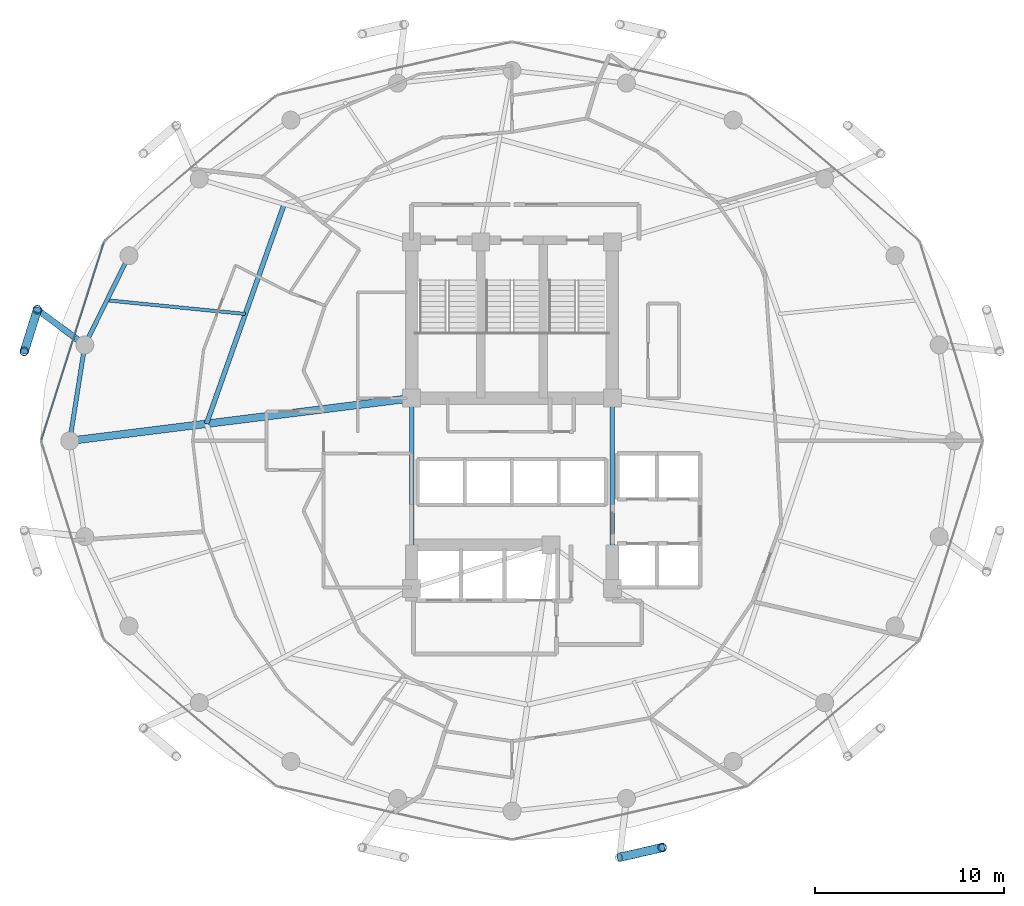
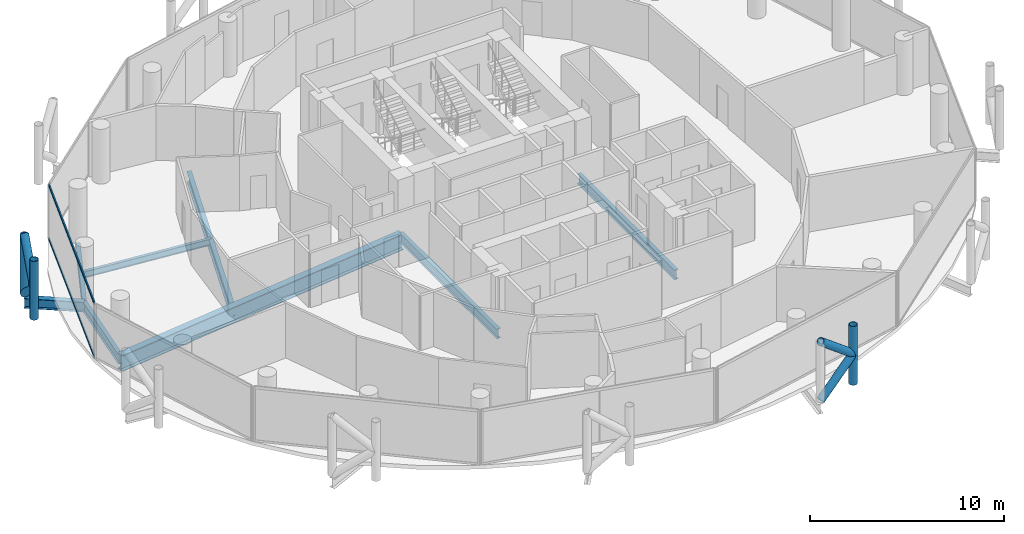
# One storey, part 7 of 26: 9 members, 8 beams, 1 element without a shape of its own.
"""IFC4 building model written with IfcOpenShell, lengths in metres."""

import ifcopenshell
import ifcopenshell.guid

model = None  # the IFC model being written
_history = None  # IfcOwnerHistory: only IFC2X3 demands one
_inside = {}  # id of a spatial element -> (the spatial element, [elements in it])
_under = {}  # id of a project, library or spatial element -> (it, [spatial elements below it])
_declared = {}  # id of a project -> (the project, [libraries it declares])
_typed = {}  # id of a type object -> (the type object, [elements of that type])
_made_of = {}  # id of a material, layer set ... -> (it, [elements and type objects made of it])


def new_model(schema):
    """Start an empty IFC model of exactly this schema.

    Asked for "IFC4X3", IfcOpenShell would pick the latest addendum, in which some entities
    have other attributes; the version numbers below select the first issue.
    IFC2X3 requires an IfcOwnerHistory on every rooted entity: one is made here for all.
    """
    global model, _history
    if schema == "IFC4X3":
        model = ifcopenshell.file(schema_version=(4, 3, 0, 0))
    else:
        model = ifcopenshell.file(schema=schema)
    _inside.clear()
    _under.clear()
    _declared.clear()
    _typed.clear()
    _made_of.clear()
    _history = None
    if model.schema == "IFC2X3":
        org = make("IfcOrganization", Name="unknown")
        user = make(
            "IfcPersonAndOrganization",
            ThePerson=make("IfcPerson", FamilyName="unknown"),
            TheOrganization=org,
        )
        app = make(
            "IfcApplication",
            ApplicationDeveloper=org,
            Version="unknown",
            ApplicationFullName="unknown",
            ApplicationIdentifier="unknown",
        )
        _history = make(
            "IfcOwnerHistory",
            OwningUser=user,
            OwningApplication=app,
            ChangeAction="ADDED",
            CreationDate=0,
        )
    return model


def make(cls, **values):
    """One entity of the class cls with the attributes given. An attribute that is None is left unset."""
    return model.create_entity(
        cls, **{name: value for name, value in values.items() if value is not None}
    )


def rooted(cls, **values):
    """An entity with a GlobalId (a new one), such as an element, a storey or a relation."""
    return make(cls, GlobalId=ifcopenshell.guid.new(), OwnerHistory=_history, **values)


def si_unit(unit_type, name, prefix=None):
    """IfcSIUnit, for example si_unit("LENGTHUNIT", "METRE", prefix="MILLI")."""
    return make("IfcSIUnit", UnitType=unit_type, Prefix=prefix, Name=name)


def assignment(units):
    """IfcUnitAssignment: the units of a project."""
    return None if units is None else make("IfcUnitAssignment", Units=units)


def point(xyz):
    """IfcCartesianPoint."""
    return None if xyz is None else make("IfcCartesianPoint", Coordinates=xyz)


def direction(xyz):
    """IfcDirection."""
    return None if xyz is None else make("IfcDirection", DirectionRatios=xyz)


def frame(location, z_axis=None, x_axis=None):
    """IfcAxis2Placement3D, a coordinate frame: its origin and axes. An axis left out is left unset."""
    return make(
        "IfcAxis2Placement3D",
        Location=point(location),
        Axis=direction(z_axis),
        RefDirection=direction(x_axis),
    )


def frame_2d(location, x_axis=None):
    """IfcAxis2Placement2D, a coordinate frame in the plane: its origin and x axis."""
    return make(
        "IfcAxis2Placement2D", Location=point(location), RefDirection=direction(x_axis)
    )


def origin():
    """The frame at (0, 0, 0) with its axes left unset."""
    return frame((0.0, 0.0, 0.0))


def origin_2d():
    """The frame at (0, 0) in the plane with its x axis left unset."""
    return frame_2d((0.0, 0.0))


def place(relative_to, where):
    """IfcLocalPlacement: puts the frame where relative to a parent placement (None: the world)."""
    return make(
        "IfcLocalPlacement", PlacementRelTo=relative_to, RelativePlacement=where
    )


def context(
    kind, dimensions, precision=None, world=None, true_north=None, identifier=None
):
    """IfcGeometricRepresentationContext, for example the 3D "Model" context."""
    return make(
        "IfcGeometricRepresentationContext",
        ContextIdentifier=identifier,
        ContextType=kind,
        CoordinateSpaceDimension=dimensions,
        Precision=precision,
        WorldCoordinateSystem=world,
        TrueNorth=true_north,
    )


def subcontext(parent, identifier, kind, view, scale=None):
    """IfcGeometricRepresentationSubContext, for example "Body" below "Model"."""
    return make(
        "IfcGeometricRepresentationSubContext",
        ContextIdentifier=identifier,
        ContextType=kind,
        ParentContext=parent,
        TargetScale=scale,
        TargetView=view,
    )


def project(units=None, contexts=None):
    """IfcProject with its units and contexts."""
    return rooted(
        "IfcProject",
        Name="project",
        RepresentationContexts=contexts,
        UnitsInContext=assignment(units),
    )


def spatial(cls, under=None, at=None, **own):
    """A site, building, storey or space (cls), placed at a placement, below another one or the project."""
    s = rooted(cls, ObjectPlacement=at, **own)
    if under is not None:
        _under.setdefault(under.id(), (under, []))[1].append(s)
    return s


def profile(cls, at=None, kind="AREA", **sizes):
    """A parametric profile (cls). Its sizes go by their IFC names, for example OverallWidth=200.0."""
    return make(cls, ProfileType=kind, Position=at, **sizes)


def hollow_rectangle(**sizes):
    """IfcRectangleHollowProfileDef."""
    return profile("IfcRectangleHollowProfileDef", **sizes)


def hollow_circle(**sizes):
    """IfcCircleHollowProfileDef."""
    return profile("IfcCircleHollowProfileDef", **sizes)


def i_section(**sizes):
    """IfcIShapeProfileDef."""
    return profile("IfcIShapeProfileDef", **sizes)


def extrude(swept, where, along, depth):
    """IfcExtrudedAreaSolid: the profile swept, set in the frame where, extruded along a direction by depth."""
    return make(
        "IfcExtrudedAreaSolid",
        SweptArea=swept,
        Position=where,
        ExtrudedDirection=direction(along),
        Depth=depth,
    )


def shape(context_of_items, identifier, shape_type, items):
    """IfcShapeRepresentation: the items that make up one representation, for example the "Body"."""
    return make(
        "IfcShapeRepresentation",
        ContextOfItems=context_of_items,
        RepresentationIdentifier=identifier,
        RepresentationType=shape_type,
        Items=items,
    )


def material(Name=None, Category=None):
    """IfcMaterial."""
    return make("IfcMaterial", Name=Name, Category=Category)


def layer(
    of_material, thickness, ventilated=None, Name=None, Category=None, Priority=None
):
    """IfcMaterialLayer: one layer of a wall or slab, of a material (None: an air gap)."""
    return make(
        "IfcMaterialLayer",
        Material=of_material,
        LayerThickness=thickness,
        IsVentilated=ventilated,
        Name=Name,
        Category=Category,
        Priority=Priority,
    )


def layer_set(layers, Name=None):
    """IfcMaterialLayerSet."""
    return make("IfcMaterialLayerSet", MaterialLayers=layers, LayerSetName=Name)


def material_profile(
    of_material, cross_section, Name=None, Category=None, Priority=None
):
    """IfcMaterialProfile: a cross section and its material."""
    return make(
        "IfcMaterialProfile",
        Name=Name,
        Material=of_material,
        Profile=cross_section,
        Priority=Priority,
        Category=Category,
    )


def profile_set(profiles, Name=None, composite=None):
    """IfcMaterialProfileSet."""
    return make(
        "IfcMaterialProfileSet",
        Name=Name,
        MaterialProfiles=profiles,
        CompositeProfile=composite,
    )


def made_of(thing, what):
    """Note that an element or type object is made of a material, layer set ...; save() writes the relation."""
    if what is not None:
        _made_of.setdefault(what.id(), (what, []))[1].append(thing)
    return thing


def type_object(cls, material=None, **own):
    """A type object (cls), such as IfcWallType, which elements share."""
    return made_of(rooted(cls, **own), material)


def element(
    cls,
    number,
    at=None,
    inside=None,
    cuts=None,
    type_object=None,
    material=None,
    context=None,
    identifier="Body",
    shape_type=None,
    held_by="IfcProductDefinitionShape",
    body=None,
    shapes=None,
    **own,
):
    """One element of the class cls, such as IfcWall. Its Tag is "e" and its number.

    at: its placement. inside: the storey or other place that contains it. cuts: it is an
    opening in that element (IfcRelVoidsElement). A single representation is given by context,
    identifier, shape_type and body (its items); several are given by shapes. held_by: the class
    of the entity that holds the representations. save() writes the other relations.
    """
    e = rooted(cls, Tag="e%d" % number, ObjectPlacement=at, **own)
    if body is not None:
        shapes = [shape(context, identifier, shape_type, body)]
    if shapes is not None:
        e.Representation = make(held_by, Representations=shapes)
    if inside is not None:
        _inside.setdefault(inside.id(), (inside, []))[1].append(e)
    if cuts is not None:
        rooted(
            "IfcRelVoidsElement", RelatingBuildingElement=cuts, RelatedOpeningElement=e
        )
    if type_object is not None:
        _typed.setdefault(type_object.id(), (type_object, []))[1].append(e)
    return made_of(e, material)


def aggregate(whole, parts):
    """IfcRelAggregates: a whole, such as a stair, and the parts it consists of."""
    return rooted("IfcRelAggregates", RelatingObject=whole, RelatedObjects=parts)


def save(model, path):
    """Write the relations noted so far, then the file.

    IfcRelAggregates (storeys below a building ...), IfcRelContainedInSpatialStructure (elements
    in a storey), IfcRelDefinesByType, IfcRelAssociatesMaterial and IfcRelDeclares: one each for
    every whole, place, type object, material and project.
    """
    for whole, parts in _under.values():
        aggregate(whole, parts)
    for where, things in _inside.values():
        rooted(
            "IfcRelContainedInSpatialStructure",
            RelatedElements=things,
            RelatingStructure=where,
        )
    for kind, things in _typed.values():
        rooted("IfcRelDefinesByType", RelatedObjects=things, RelatingType=kind)
    for what, things in _made_of.values():
        rooted("IfcRelAssociatesMaterial", RelatedObjects=things, RelatingMaterial=what)
    for by, libraries in _declared.values():
        rooted("IfcRelDeclares", RelatingContext=by, RelatedDefinitions=libraries)
    model.write(path)


model = new_model("IFC4")

# Units and contexts
model_context = context("Model", 3, precision=1e-05, world=origin(), true_north=direction((0.0, 1.0)))
body_context = subcontext(model_context, "Body", "Model", "MODEL_VIEW")
ifc_project = project(units=[si_unit("LENGTHUNIT", "METRE"), si_unit("AREAUNIT", "SQUARE_METRE"), si_unit("VOLUMEUNIT", "CUBIC_METRE"), si_unit("PLANEANGLEUNIT", "RADIAN"), si_unit("MASSUNIT", "GRAM", prefix="KILO")], contexts=[model_context])

# Site, building, storey
site_placement = place(None, origin())
site = spatial("IfcSite", under=ifc_project, at=site_placement, CompositionType="ELEMENT")
building_placement = place(site_placement, origin())
building = spatial("IfcBuilding", under=site, at=building_placement, Name="Nuhasar Tower", CompositionType="ELEMENT")
storey_placement = place(building_placement, frame((0.0, 0.0, 155.25)))
storey = spatial("IfcBuildingStorey", under=building, at=storey_placement, Name="L37", CompositionType="ELEMENT", Elevation=155.25)

# Beams
ifc_material_1 = material(Name="Steel S355", Category="steel")
ifc_material_profile_1 = material_profile(ifc_material_1, i_section(OverallWidth=0.25390625, OverallDepth=0.68408203125, WebThickness=0.012451171875, FlangeThickness=0.018798828125, at=origin_2d()), Name="W27X94")
ifc_profile_set_1 = profile_set([ifc_material_profile_1], Name="Steel S355")
beam_type_1 = type_object("IfcBeamType", Name="BM-INRING-W27X94", PredefinedType="BEAM", material=ifc_profile_set_1)
beam_1_placement = place(storey_placement, frame((26.972900390625, 39.2939453125, -0.592041015625), z_axis=(-0.333599821096, -0.942714781556, 0.0), x_axis=(0.942714781556, -0.333599821096, 0.0)))
element("IfcBeam", 1, at=beam_1_placement, inside=storey, type_object=beam_type_1, Name="L37 Inner Header Beam 07", PredefinedType="BEAM", context=body_context, shape_type="SweptSolid", body=[
    extrude(i_section(OverallWidth=0.25390625, OverallDepth=0.68408203125, WebThickness=0.012451171875, FlangeThickness=0.018798828125, at=origin_2d()), origin(), (0.0, 0.0, 1.0), 12.298583984375),
])
ifc_material_profile_2 = material_profile(ifc_material_1, i_section(OverallWidth=0.177978515625, OverallDepth=0.406005859375, WebThickness=0.0078125, FlangeThickness=0.0126953125, at=origin_2d()), Name="W16X40")
ifc_profile_set_2 = profile_set([ifc_material_profile_2], Name="Steel S355")
beam_type_2 = type_object("IfcBeamType", Name="BM-JST-W16X40", PredefinedType="JOIST", material=ifc_profile_set_2)
beam_2_placement = place(storey_placement, frame((24.922119140625, 33.4970703125, -0.452880859375), z_axis=(-0.995171845755, 0.098147834497, 0.0), x_axis=(-0.098147834497, -0.995171845755, 0.0)))
element("IfcBeam", 2, at=beam_2_placement, inside=storey, type_object=beam_type_2, Name="L37 Secondary Floor Joist 07", PredefinedType="JOIST", context=body_context, shape_type="SweptSolid", body=[
    extrude(i_section(OverallWidth=0.177978515625, OverallDepth=0.406005859375, WebThickness=0.0078125, FlangeThickness=0.0126953125, at=origin_2d()), origin(), (0.0, 0.0, 1.0), 7.345458984375),
])
ifc_material_profile_3 = material_profile(ifc_material_1, i_section(OverallWidth=0.22900390625, OverallDepth=0.612060546875, WebThickness=0.011962890625, FlangeThickness=0.01953125, at=origin_2d()), Name="W24X84")
ifc_profile_set_3 = profile_set([ifc_material_profile_3], Name="Steel S355")
beam_type_3 = type_object("IfcBeamType", Name="BM-RAD-W24X84", PredefinedType="BEAM", material=ifc_profile_set_3)
for number, where, z_axis, x_axis, name in (
    (3, (44.300048828125, 19.0, -0.555908203125), (0.0, 1.0, 0.0), (-1.0, 0.0, 0.0), "L37 Core Ring Girder 3"),
    (4, (33.699951171875, 29.050048828125, -0.555908203125), (0.0, -1.0, 0.0), (1.0, 0.0, 0.0), "L37 Core Ring Girder 8"),
):
    element("IfcBeam", number, at=place(storey_placement, frame(where, z_axis=z_axis, x_axis=x_axis)), inside=storey, type_object=beam_type_3, Name=name, PredefinedType="BEAM", context=body_context, shape_type="SweptSolid", body=[
        extrude(i_section(OverallWidth=0.22900390625, OverallDepth=0.612060546875, WebThickness=0.011962890625, FlangeThickness=0.01953125, at=origin_2d()), origin(), (0.0, 0.0, 1.0), 10.050048828125),
    ])
ifc_material_profile_4 = material_profile(ifc_material_1, i_section(OverallWidth=0.22998046875, OverallDepth=0.616943359375, WebThickness=0.01318359375, FlangeThickness=0.022216796875, at=origin_2d()), Name="W24X94")
ifc_profile_set_4 = profile_set([ifc_material_profile_4], Name="Steel S355")
beam_type_4 = type_object("IfcBeamType", Name="BM-RING-W24X94", PredefinedType="SPANDREL", material=ifc_profile_set_4)
beam_3_placement = place(storey_placement, frame((18.778076171875, 36.574951171875, -0.55908203125), z_axis=(-0.443347771709, -0.896349682501, 0.0), x_axis=(0.896349682501, -0.443347771709, 0.0)))
element("IfcBeam", 5, at=beam_3_placement, inside=storey, type_object=beam_type_4, Name="L37 Perimeter Ring Spandrel 11", PredefinedType="SPANDREL", context=body_context, shape_type="SweptSolid", body=[
    extrude(i_section(OverallWidth=0.22998046875, OverallDepth=0.616943359375, WebThickness=0.01318359375, FlangeThickness=0.022216796875, at=origin_2d()), origin(), (0.0, 0.0, 1.0), 5.260009765625),
])
beam_4_placement = place(storey_placement, frame((16.446044921875, 31.860107421875, -0.55908203125), z_axis=(-0.155426543608, -0.987847452566, 0.0), x_axis=(0.987847452566, -0.155426543608, 0.0)))
element("IfcBeam", 6, at=beam_4_placement, inside=storey, type_object=beam_type_4, Name="L37 Perimeter Ring Spandrel 12", PredefinedType="SPANDREL", context=body_context, shape_type="SweptSolid", body=[
    extrude(i_section(OverallWidth=0.22998046875, OverallDepth=0.616943359375, WebThickness=0.01318359375, FlangeThickness=0.022216796875, at=origin_2d()), origin(), (0.0, 0.0, 1.0), 5.122314453125),
])
ifc_material_profile_5 = material_profile(ifc_material_1, i_section(OverallWidth=0.323974609375, OverallDepth=0.611083984375, WebThickness=0.0126953125, FlangeThickness=0.01904296875, at=origin_2d()), Name="W24X104")
ifc_profile_set_5 = profile_set([ifc_material_profile_5], Name="Steel S355")
beam_type_5 = type_object("IfcBeamType", Name="BM-TIE-W24X104", PredefinedType="BEAM", material=ifc_profile_set_5)
beam_5_placement = place(storey_placement, frame((16.446044921875, 31.860107421875, -0.554931640625), z_axis=(-0.802872198291, 0.596151183183, 0.0), x_axis=(-0.596151183183, -0.802872198291, 0.0)))
element("IfcBeam", 7, at=beam_5_placement, inside=storey, type_object=beam_type_5, Name="L37 Exoskeleton Node Tie Beam 06", PredefinedType="BEAM", context=body_context, shape_type="SweptSolid", body=[
    extrude(i_section(OverallWidth=0.323974609375, OverallDepth=0.611083984375, WebThickness=0.0126953125, FlangeThickness=0.01904296875, at=origin_2d()), origin(), (0.0, 0.0, 1.0), 3.121337890625),
])
ifc_material_2 = material(Name="Steel S460", Category="steel")
ifc_material_profile_6 = material_profile(ifc_material_2, i_section(OverallWidth=0.40087890625, OverallDepth=1.010009765625, WebThickness=0.023681640625, FlangeThickness=0.0419921875, at=origin_2d()), Name="W40X297")
ifc_profile_set_6 = profile_set([ifc_material_profile_6], Name="Steel S460")
beam_type_6 = type_object("IfcBeamType", Name="BM-XFER-W40X297", PredefinedType="USERDEFINED", material=ifc_profile_set_6)
beam_6_placement = place(storey_placement, frame((33.699951171875, 29.050048828125, -0.7548828125), z_axis=(-0.992320149485, -0.123696082908, 0.0), x_axis=(0.123696082908, -0.992320149485, 0.0)))
element("IfcBeam", 8, at=beam_6_placement, inside=storey, type_object=beam_type_6, Name="L37 Radial Floor Girder 08", ObjectType="GIRDER", PredefinedType="USERDEFINED", context=body_context, shape_type="SweptSolid", body=[
    extrude(i_section(OverallWidth=0.40087890625, OverallDepth=1.010009765625, WebThickness=0.023681640625, FlangeThickness=0.0419921875, at=origin_2d()), origin(), (0.0, 0.0, 1.0), 18.189697265625),
])

# Curtain wall, members
ifc_material_3 = material(Name="Aluminium 6063-T6", Category="aluminium")
ifc_layer = layer(ifc_material_3, 0.199951171875)
ifc_layer_set = layer_set([ifc_layer], Name="Aluminium 6063-T6")
curtain_wall_type = type_object("IfcCurtainWallType", Name="CW-Z2-HTL", PredefinedType="NOTDEFINED", material=ifc_layer_set)
curtain_wall_placement = place(storey_placement, origin())
curtain_wall = element("IfcCurtainWall", 9, at=curtain_wall_placement, inside=storey, type_object=curtain_wall_type, Name="L37 Unitised Curtain Wall 06", PredefinedType="NOTDEFINED")
ifc_material_profile_7 = material_profile(ifc_material_3, hollow_rectangle(XDim=0.070068359375, YDim=0.159912109375, WallThickness=0.00439453125, at=origin_2d()), Name="CWT-3")
ifc_profile_set_7 = profile_set([ifc_material_profile_7], Name="Aluminium 6063-T6")
member_type_1 = type_object("IfcMemberType", Name="CW-TRN-S3", PredefinedType="USERDEFINED", material=ifc_profile_set_7)
member_1_placement = place(storey_placement, frame((17.449951171875, 37.26318359375, 0.034912109375), z_axis=(-0.301608163352, -0.953431967053, 0.0), x_axis=(0.953431967053, -0.301608163352, 0.0)))
member_1 = element("IfcMember", 10, at=member_1_placement, type_object=member_type_1, Name="CW-Z2 transom 1.1", ObjectType="TRANSOM", PredefinedType="USERDEFINED", context=body_context, shape_type="SweptSolid", body=[
    extrude(hollow_rectangle(XDim=0.070068359375, YDim=0.159912109375, WallThickness=0.00439453125, at=origin_2d()), origin(), (0.0, 0.0, 1.0), 10.904296875),
])
member_2_placement = place(storey_placement, frame((17.449951171875, 37.26318359375, 3.4150390625), z_axis=(-0.301608163352, -0.953431967053, 0.0), x_axis=(0.953431967053, -0.301608163352, 0.0)))
member_2 = element("IfcMember", 11, at=member_2_placement, type_object=member_type_1, Name="CW-Z2 transom 1.2", ObjectType="TRANSOM", PredefinedType="USERDEFINED", context=body_context, shape_type="SweptSolid", body=[
    extrude(hollow_rectangle(XDim=0.070068359375, YDim=0.159912109375, WallThickness=0.00439453125, at=origin_2d()), origin(), (0.0, 0.0, 1.0), 10.904296875),
])
aggregate(curtain_wall, [member_1, member_2])

# Members
ifc_material_profile_8 = material_profile(ifc_material_2, hollow_circle(Radius=0.228515625, WallThickness=0.022216796875, at=origin_2d()), Name="HSS457X22.2")
ifc_profile_set_8 = profile_set([ifc_material_profile_8], Name="Steel S460")
member_type_2 = type_object("IfcMemberType", Name="EXO-BRONZE-457", PredefinedType="BRACE", material=ifc_profile_set_8)
for number, where, z_axis, x_axis, name in (
    (12, (13.93994140625, 33.720947265625, 0.0), (0.0, 0.0, 1.0), (1.0, 0.0, 0.0), "L37 Exoskeleton Chord Column EC-06A"),
    (13, (13.251953125, 31.52587890625, 0.0), (0.0, 0.0, 1.0), (1.0, 0.0, 0.0), "L37 Exoskeleton Chord Column EC-06B"),
    (14, (46.927978515625, 5.323974609375, 0.0), (0.0, 0.0, 1.0), (1.0, 0.0, 0.0), "L37 Exoskeleton Chord Column EC-10B"),
):
    element("IfcMember", number, at=place(storey_placement, frame(where, z_axis=z_axis, x_axis=x_axis)), inside=storey, type_object=member_type_2, Name=name, PredefinedType="BRACE", context=body_context, shape_type="SweptSolid", body=[
        extrude(hollow_circle(Radius=0.228515625, WallThickness=0.022216796875, at=origin_2d()), origin(), (0.0, 0.0, 1.0), 3.699951171875),
    ])
member_3_placement = place(storey_placement, frame((13.93994140625, 33.720947265625, 0.0), z_axis=(-0.233055548538, -0.743577869731, 0.626719285599), x_axis=(0.954228474306, -0.29907861646, 0.0)))
element("IfcMember", 15, at=member_3_placement, inside=storey, type_object=member_type_2, Name="L37 Bronze Diagrid Brace W1-06", PredefinedType="BRACE", context=body_context, shape_type="SweptSolid", body=[
    extrude(hollow_circle(Radius=0.228515625, WallThickness=0.022216796875, at=origin_2d()), origin(), (0.0, 0.0, 1.0), 2.9521484375),
])
for number, where, z_axis, x_axis, name in (
    (16, (13.251953125, 31.52587890625, 1.85009765625), (0.233067628236, 0.74361641074, 0.626669062861), (-0.954228474306, 0.29907861646, 0.0), "L37 Bronze Diagrid Brace W2-06"),
    (17, (44.68603515625, 4.81005859375, 0.0), (0.759510488094, 0.174101010284, 0.626763637022), (-0.223432882746, 0.974719316987, 0.0), "L37 Bronze Diagrid Brace W1-10"),
):
    element("IfcMember", number, at=place(storey_placement, frame(where, z_axis=z_axis, x_axis=x_axis)), inside=storey, type_object=member_type_2, Name=name, PredefinedType="BRACE", context=body_context, shape_type="SweptSolid", body=[
        extrude(hollow_circle(Radius=0.228515625, WallThickness=0.022216796875, at=origin_2d()), origin(), (0.0, 0.0, 1.0), 2.951904296875),
    ])
member_4_placement = place(storey_placement, frame((46.927978515625, 5.323974609375, 1.85009765625), z_axis=(-0.759549860492, -0.174110035537, 0.626713415327), x_axis=(0.223432882746, -0.974719316987, 0.0)))
element("IfcMember", 18, at=member_4_placement, inside=storey, type_object=member_type_2, Name="L37 Bronze Diagrid Brace W2-10", PredefinedType="BRACE", context=body_context, shape_type="SweptSolid", body=[
    extrude(hollow_circle(Radius=0.228515625, WallThickness=0.022216796875, at=origin_2d()), origin(), (0.0, 0.0, 1.0), 2.95166015625),
])

save(model, "model.ifc")
